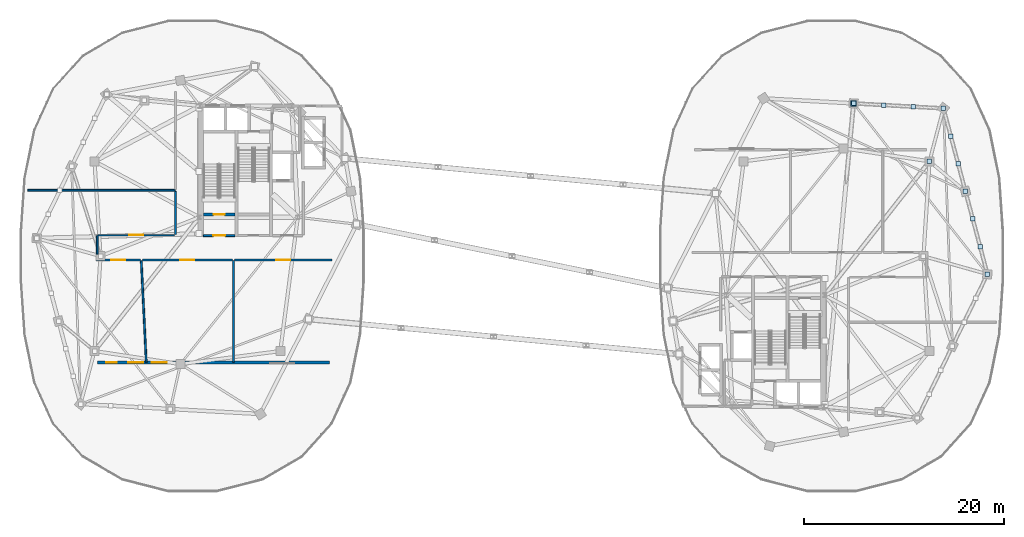
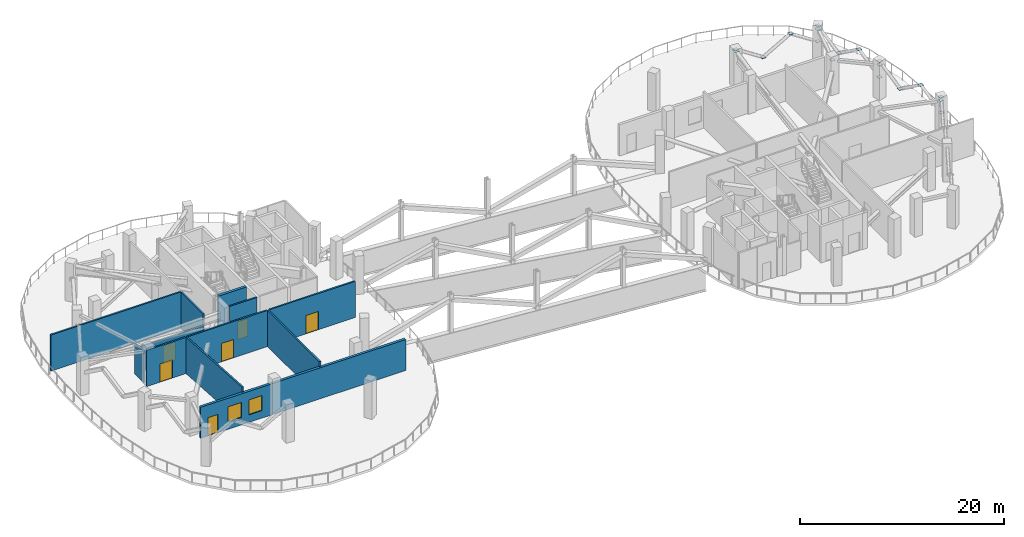
# One storey, part 7 of 16: 18 plates, 12 walls, 7 doors, 2 windows, 9 openings.
"""IFC4 building model written with IfcOpenShell, lengths in metres."""

from ifc_helpers import new_model, si_unit, direction, frame, frame_2d, origin, origin_2d, place, context, subcontext, project, spatial, rectangle, extrude, material, layer, layer_set, type_object, element, fill, save


model = new_model("IFC4")

# Units and contexts
model_context = context("Model", 3, precision=1e-05, world=origin(), true_north=direction((0.0, 1.0)))
body_context = subcontext(model_context, "Body", "Model", "MODEL_VIEW")
ifc_project = project(units=[si_unit("LENGTHUNIT", "METRE"), si_unit("AREAUNIT", "SQUARE_METRE"), si_unit("VOLUMEUNIT", "CUBIC_METRE"), si_unit("PLANEANGLEUNIT", "RADIAN"), si_unit("MASSUNIT", "GRAM", prefix="KILO"), si_unit("THERMODYNAMICTEMPERATUREUNIT", "KELVIN"), si_unit("POWERUNIT", "WATT")], contexts=[model_context])

# Site, building, storey
site_placement = place(None, origin())
site = spatial("IfcSite", under=ifc_project, at=site_placement, CompositionType="ELEMENT")
building_placement = place(site_placement, origin())
building = spatial("IfcBuilding", under=site, at=building_placement, Name="Cundina Bronze Exchange", CompositionType="ELEMENT")
storey_placement = place(building_placement, frame((0.0, 0.0, 235.0)))
storey = spatial("IfcBuildingStorey", under=building, at=storey_placement, Name="L62", CompositionType="ELEMENT", Elevation=235.0)

# Plates
ifc_material_1 = material(Name="Steel ASTM A572 Grade 50", Category="steel")
ifc_layer_1 = layer(ifc_material_1, 0.02001953125, Name="Steel ASTM A572 Grade 50", Category="steel")
ifc_layer_set_1 = layer_set([ifc_layer_1], Name="Steel ASTM A572 Grade 50")
plate_type_1 = type_object("IfcPlateType", Name="PLT-CAP-STL20", PredefinedType="USERDEFINED", material=ifc_layer_set_1)
for number, where, z_axis, x_axis, name in (
    (1, (47.60009765625, -1.800048828125, 2.39990234375), (0.0, 0.0, 1.0), (1.0, 0.0, 0.0), "L62 E Perimeter Belt M-Truss Diagonal 1A End Cap Plate 1"),
    (2, (46.86669921875, 0.966796875, 4.2900390625), (0.0, 0.0, 1.0), (1.0, 0.0, 0.0), "L62 E Perimeter Belt M-Truss Diagonal 1A End Cap Plate 2"),
    (3, (46.13330078125, 3.7333984375, 2.39990234375), (0.0, 0.0, 1.0), (1.0, 0.0, 0.0), "L62 E Perimeter Belt M-Truss Diagonal 1B End Cap Plate 2"),
    (4, (45.39990234375, 6.5, 4.2900390625), (0.0, 0.0, 1.0), (1.0, 0.0, 0.0), "L62 E Perimeter Belt M-Truss Diagonal 1C End Cap Plate 2"),
    (5, (47.60009765625, -1.800048828125, 3.8798828125), (0.0, 0.0, 1.0), (1.0, 0.0, 0.0), "L62 E Outrigger Collector Strut 1 End Cap Plate 2"),
    (6, (47.60009765625, -1.800048828125, 4.2900390625), (0.0, 0.0, 1.0), (1.0, 0.0, 0.0), "L62 E Perimeter Belt M-Truss Diagonal 2C End Cap Plate 2"),
    (7, (45.39990234375, 6.5, 2.39990234375), (0.0, 0.0, 1.0), (1.0, 0.0, 0.0), "L62 E Perimeter Belt M-Truss Diagonal 3A End Cap Plate 1"),
    (8, (44.666748046875, 9.2666015625, 4.2900390625), (0.0, 0.0, 1.0), (1.0, 0.0, 0.0), "L62 E Perimeter Belt M-Truss Diagonal 3A End Cap Plate 2"),
    (9, (43.933349609375, 12.033203125, 2.39990234375), (0.0, 0.0, 1.0), (1.0, 0.0, 0.0), "L62 E Perimeter Belt M-Truss Diagonal 3B End Cap Plate 2"),
    (10, (43.199951171875, 14.800048828125, 4.2900390625), (0.0, 0.0, 1.0), (1.0, 0.0, 0.0), "L62 E Perimeter Belt M-Truss Diagonal 3C End Cap Plate 2"),
    (11, (41.800048828125, 9.5, 3.8798828125), (0.0, 0.0, 1.0), (1.0, 0.0, 0.0), "L62 E Outrigger Collector Strut 3 End Cap Plate 1"),
    (12, (45.39990234375, 6.5, 3.8798828125), (0.0, 0.0, 1.0), (1.0, 0.0, 0.0), "L62 E Outrigger Collector Strut 3 End Cap Plate 2"),
    (13, (43.199951171875, 14.800048828125, 2.39990234375), (0.0, 0.0, 1.0), (1.0, 0.0, 0.0), "L62 E Perimeter Belt M-Truss Diagonal 5A End Cap Plate 1"),
    (14, (40.199951171875, 14.966796875, 4.2900390625), (0.0, 0.0, 1.0), (1.0, 0.0, 0.0), "L62 E Perimeter Belt M-Truss Diagonal 5A End Cap Plate 2"),
    (15, (37.199951171875, 15.13330078125, 2.39990234375), (0.0, 0.0, 1.0), (1.0, 0.0, 0.0), "L62 E Perimeter Belt M-Truss Diagonal 5B End Cap Plate 2"),
    (16, (34.199951171875, 15.300048828125, 4.2900390625), (0.0, 0.0, 1.0), (1.0, 0.0, 0.0), "L62 E Perimeter Belt M-Truss Diagonal 5C End Cap Plate 2"),
    (17, (43.199951171875, 14.800048828125, 3.8798828125), (0.0, 0.0, 1.0), (1.0, 0.0, 0.0), "L62 E Outrigger Collector Strut 5 End Cap Plate 2"),
):
    element("IfcPlate", number, at=place(storey_placement, frame(where, z_axis=z_axis, x_axis=x_axis)), inside=storey, type_object=plate_type_1, Name=name, ObjectType="STIFFENER_PLATE", PredefinedType="USERDEFINED", context=body_context, shape_type="SweptSolid", body=[
        extrude(rectangle(XDim=0.449951171875, YDim=0.449951171875, at=origin_2d()), origin(), (0.0, 0.0, 1.0), 0.02001953125),
    ])
ifc_layer_2 = layer(ifc_material_1, 0.02490234375, Name="Steel ASTM A572 Grade 50", Category="steel")
ifc_layer_set_2 = layer_set([ifc_layer_2], Name="Steel ASTM A572 Grade 50")
plate_type_2 = type_object("IfcPlateType", Name="PLT-CAP-STL25", PredefinedType="USERDEFINED", material=ifc_layer_set_2)
plate_placement = place(storey_placement, frame((34.199951171875, 15.300048828125, 4.12744140625), z_axis=(0.0, 0.0, 1.0), x_axis=(1.0, 0.0, 0.0)))
element("IfcPlate", 18, at=plate_placement, inside=storey, type_object=plate_type_2, Name="L62 E Outrigger Truss Diagonal 1 End Cap Plate 2", ObjectType="STIFFENER_PLATE", PredefinedType="USERDEFINED", context=body_context, shape_type="SweptSolid", body=[
    extrude(rectangle(XDim=0.60009765625, YDim=0.60009765625, at=origin_2d()), origin(), (0.0, 0.0, 1.0), 0.02490234375),
])

# Wall, opening, door
ifc_material_2 = material(Name="Gypsum Fireboard Partition EI120")
ifc_layer_3 = layer(ifc_material_2, 0.179931640625, Name="Gypsum Fireboard Partition EI120")
ifc_layer_set_3 = layer_set([ifc_layer_3], Name="Gypsum Fireboard Partition EI120")
wall_type_1 = type_object("IfcWallType", Name="WL-COR-180", PredefinedType="PARTITIONING", material=ifc_layer_set_3)
wall_1_placement = place(storey_placement, frame((-30.89990234375, 2.06005859375, 0.0), z_axis=(0.0, 0.0, 1.0), x_axis=(1.0, 0.0, 0.0)))
wall_1 = element("IfcWall", 19, at=wall_1_placement, inside=storey, type_object=wall_type_1, Name="L62 W Stair Vestibule Exit Wall", PredefinedType="PARTITIONING", context=body_context, shape_type="SweptSolid", body=[
    extrude(rectangle(XDim=3.159912109375, YDim=0.179931640625, at=frame_2d((1.580078125, 0.0))), origin(), (0.0, 0.0, 1.0), 4.340087890625),
])
opening_1_placement = place(wall_1_placement, frame((0.97998046875, 0.0, 0.0)))
opening_1 = element("IfcOpeningElement", 20, at=opening_1_placement, cuts=wall_1, Name="Opening DF-01", PredefinedType="OPENING", context=body_context, shape_type="SweptSolid", body=[
    extrude(rectangle(XDim=1.199951171875, YDim=2.14990234375, at=frame_2d((0.60009765625, 1.074951171875))), frame((0.0, 0.099853515625, 0.0), z_axis=(0.0, -1.0, 0.0), x_axis=(1.0, 0.0, 0.0)), (0.0, 0.0, 1.0), 0.199951171875),
])
ifc_material_3 = material(Name="Steel ASTM A36 Painted", Category="steel")
door_type_1 = type_object("IfcDoorType", Name="DR-FFL-1200", OperationType="NOTDEFINED", PredefinedType="DOOR", material=ifc_material_3)
door_1_placement = place(opening_1_placement, origin())
door_1 = element("IfcDoor", 21, at=door_1_placement, inside=storey, type_object=door_type_1, Name="L62 W Stair Vestibule Door", OperationType="SINGLE_SWING_LEFT", OverallHeight=2.14990234375, OverallWidth=1.199951171875, PredefinedType="DOOR", context=body_context, shape_type="SweptSolid", body=[
    extrude(rectangle(XDim=1.199951171875, YDim=2.14990234375, at=frame_2d((0.60009765625, 1.074951171875))), frame((0.0, 0.02490234375, 0.0), z_axis=(0.0, -1.0, 0.0), x_axis=(1.0, 0.0, 0.0)), (0.0, 0.0, 1.0), 0.050048828125),
])
fill(opening_1, door_1)

# Walls
wall_2_placement = place(storey_placement, frame((-36.6201171875, -10.60009765625, 0.0), z_axis=(0.0, 0.0, 1.0), x_axis=(-0.049152358869, 0.998791292322, 0.0)))
element("IfcWall", 22, at=wall_2_placement, inside=storey, type_object=wall_type_1, Name="L62 Interior Partition 009", PredefinedType="PARTITIONING", context=body_context, shape_type="SweptSolid", body=[
    extrude(rectangle(XDim=10.17236328125, YDim=0.179931640625, at=frame_2d((5.086181640625, 0.0))), origin(), (0.0, 0.0, 1.0), 4.340087890625),
])
wall_3_placement = place(storey_placement, frame((-48.47998046875, 6.60009765625, 0.0), z_axis=(0.0, 0.0, 1.0), x_axis=(1.0, 0.0, 0.0)))
element("IfcWall", 23, at=wall_3_placement, inside=storey, type_object=wall_type_1, Name="L62 Interior Partition 010", PredefinedType="PARTITIONING", context=body_context, shape_type="SweptSolid", body=[
    extrude(rectangle(XDim=14.739990234375, YDim=0.179931640625, at=frame_2d((7.3701171875, 0.0))), origin(), (0.0, 0.0, 1.0), 4.340087890625),
])

# Wall, opening, door
wall_4_placement = place(storey_placement, frame((-27.780029296875, -0.3701171875, 0.0), z_axis=(0.0, 0.0, 1.0), x_axis=(1.0, 0.0, 0.0)))
wall_4 = element("IfcWall", 24, at=wall_4_placement, inside=storey, type_object=wall_type_1, Name="L62 Interior Partition 011", PredefinedType="PARTITIONING", context=body_context, shape_type="SweptSolid", body=[
    extrude(rectangle(XDim=9.760009765625, YDim=0.179931640625, at=frame_2d((4.8798828125, 0.0))), origin(), (0.0, 0.0, 1.0), 4.340087890625),
])
opening_2_placement = place(wall_4_placement, frame((4.179931640625, 0.0, 0.0)))
opening_2 = element("IfcOpeningElement", 25, at=opening_2_placement, cuts=wall_4, Name="Opening DP-01", PredefinedType="OPENING", context=body_context, shape_type="SweptSolid", body=[
    extrude(rectangle(XDim=1.39990234375, YDim=2.199951171875, at=frame_2d((0.699951171875, 1.10009765625))), frame((0.0, 0.099853515625, 0.0), z_axis=(0.0, -1.0, 0.0), x_axis=(1.0, 0.0, 0.0)), (0.0, 0.0, 1.0), 0.199951171875),
])
door_type_2 = type_object("IfcDoorType", Name="DR-PLT-1400", OperationType="NOTDEFINED", PredefinedType="DOOR", material=ifc_material_3)
door_2_placement = place(opening_2_placement, origin())
door_2 = element("IfcDoor", 26, at=door_2_placement, inside=storey, type_object=door_type_2, Name="L62 Interior Door 011", OperationType="SINGLE_SWING_LEFT", OverallHeight=2.199951171875, OverallWidth=1.39990234375, PredefinedType="DOOR", context=body_context, shape_type="SweptSolid", body=[
    extrude(rectangle(XDim=1.39990234375, YDim=2.199951171875, at=frame_2d((0.699951171875, 1.10009765625))), frame((0.0, 0.02490234375, 0.0), z_axis=(0.0, -1.0, 0.0), x_axis=(1.0, 0.0, 0.0)), (0.0, 0.0, 1.0), 0.050048828125),
])
fill(opening_2, door_2)

wall_5_placement = place(storey_placement, frame((-41.65869140625, -0.3701171875, 0.0), z_axis=(0.0, 0.0, 1.0), x_axis=(1.0, 0.0, 0.0)))
wall_5 = element("IfcWall", 27, at=wall_5_placement, inside=storey, type_object=wall_type_1, Name="L62 Interior Partition 012", PredefinedType="PARTITIONING", context=body_context, shape_type="SweptSolid", body=[
    extrude(rectangle(XDim=4.438720703125, YDim=0.179931640625, at=frame_2d((2.21923828125, 0.0))), origin(), (0.0, 0.0, 1.0), 4.340087890625),
])
opening_3_placement = place(wall_5_placement, frame((1.519287109375, 0.0, 0.0)))
opening_3 = element("IfcOpeningElement", 28, at=opening_3_placement, cuts=wall_5, Name="Opening DP-01", PredefinedType="OPENING", context=body_context, shape_type="SweptSolid", body=[
    extrude(rectangle(XDim=1.39990234375, YDim=2.199951171875, at=frame_2d((0.699951171875, 1.10009765625))), frame((0.0, 0.099853515625, 0.0), z_axis=(0.0, -1.0, 0.0), x_axis=(1.0, 0.0, 0.0)), (0.0, 0.0, 1.0), 0.199951171875),
])
door_3_placement = place(opening_3_placement, origin())
door_3 = element("IfcDoor", 29, at=door_3_placement, inside=storey, type_object=door_type_2, Name="L62 Interior Door 012", OperationType="SINGLE_SWING_LEFT", OverallHeight=2.199951171875, OverallWidth=1.39990234375, PredefinedType="DOOR", context=body_context, shape_type="SweptSolid", body=[
    extrude(rectangle(XDim=1.39990234375, YDim=2.199951171875, at=frame_2d((0.699951171875, 1.10009765625))), frame((0.0, 0.02490234375, 0.0), z_axis=(0.0, -1.0, 0.0), x_axis=(1.0, 0.0, 0.0)), (0.0, 0.0, 1.0), 0.050048828125),
])
fill(opening_3, door_3)

wall_6_placement = place(storey_placement, frame((-37.02001953125, -0.3701171875, 0.0), z_axis=(0.0, 0.0, 1.0), x_axis=(1.0, 0.0, 0.0)))
wall_6 = element("IfcWall", 30, at=wall_6_placement, inside=storey, type_object=wall_type_1, Name="L62 Interior Partition 013", PredefinedType="PARTITIONING", context=body_context, shape_type="SweptSolid", body=[
    extrude(rectangle(XDim=9.0400390625, YDim=0.179931640625, at=frame_2d((4.52001953125, 0.0))), origin(), (0.0, 0.0, 1.0), 4.340087890625),
])
opening_4_placement = place(wall_6_placement, frame((3.820068359375, 0.0, 0.0)))
opening_4 = element("IfcOpeningElement", 31, at=opening_4_placement, cuts=wall_6, Name="Opening DP-01", PredefinedType="OPENING", context=body_context, shape_type="SweptSolid", body=[
    extrude(rectangle(XDim=1.39990234375, YDim=2.199951171875, at=frame_2d((0.699951171875, 1.10009765625))), frame((0.0, 0.099853515625, 0.0), z_axis=(0.0, -1.0, 0.0), x_axis=(1.0, 0.0, 0.0)), (0.0, 0.0, 1.0), 0.199951171875),
])
door_4_placement = place(opening_4_placement, origin())
door_4 = element("IfcDoor", 32, at=door_4_placement, inside=storey, type_object=door_type_2, Name="L62 Interior Door 013", OperationType="SINGLE_SWING_LEFT", OverallHeight=2.199951171875, OverallWidth=1.39990234375, PredefinedType="DOOR", context=body_context, shape_type="SweptSolid", body=[
    extrude(rectangle(XDim=1.39990234375, YDim=2.199951171875, at=frame_2d((0.699951171875, 1.10009765625))), frame((0.0, 0.02490234375, 0.0), z_axis=(0.0, -1.0, 0.0), x_axis=(1.0, 0.0, 0.0)), (0.0, 0.0, 1.0), 0.050048828125),
])
fill(opening_4, door_4)

wall_7_placement = place(storey_placement, frame((-33.77001953125, 2.10009765625, 0.0), z_axis=(0.0, 0.0, 1.0), x_axis=(-1.0, 0.0, 0.0)))
wall_7 = element("IfcWall", 33, at=wall_7_placement, inside=storey, type_object=wall_type_1, Name="L62 Interior Partition 014", PredefinedType="PARTITIONING", context=body_context, shape_type="SweptSolid", body=[
    extrude(rectangle(XDim=7.70849609375, YDim=0.179931640625, at=frame_2d((3.854248046875, 0.0))), origin(), (0.0, 0.0, 1.0), 3.034912109375),
])
opening_5_placement = place(wall_7_placement, frame((3.154296875, 0.0, 0.0)))
opening_5 = element("IfcOpeningElement", 34, at=opening_5_placement, cuts=wall_7, Name="Opening DP-01", PredefinedType="OPENING", context=body_context, shape_type="SweptSolid", body=[
    extrude(rectangle(XDim=1.39990234375, YDim=2.199951171875, at=frame_2d((0.699951171875, 1.10009765625))), frame((0.0, 0.099853515625, 0.0), z_axis=(0.0, -1.0, 0.0), x_axis=(1.0, 0.0, 0.0)), (0.0, 0.0, 1.0), 0.199951171875),
])
door_5_placement = place(opening_5_placement, origin())
door_5 = element("IfcDoor", 35, at=door_5_placement, inside=storey, type_object=door_type_2, Name="L62 Interior Door 014", OperationType="SINGLE_SWING_LEFT", OverallHeight=2.199951171875, OverallWidth=1.39990234375, PredefinedType="DOOR", context=body_context, shape_type="SweptSolid", body=[
    extrude(rectangle(XDim=1.39990234375, YDim=2.199951171875, at=frame_2d((0.699951171875, 1.10009765625))), frame((0.0, 0.02490234375, 0.0), z_axis=(0.0, -1.0, 0.0), x_axis=(1.0, 0.0, 0.0)), (0.0, 0.0, 1.0), 0.050048828125),
])
fill(opening_5, door_5)

# Walls
wall_8_placement = place(storey_placement, frame((-33.68994140625, 6.5, 0.0), z_axis=(0.0, 0.0, 1.0), x_axis=(0.0, -1.0, 0.0)))
element("IfcWall", 36, at=wall_8_placement, inside=storey, type_object=wall_type_1, Name="L62 Interior Partition 015", PredefinedType="PARTITIONING", context=body_context, shape_type="SweptSolid", body=[
    extrude(rectangle(XDim=4.320068359375, YDim=0.179931640625, at=frame_2d((2.16015625, 0.0))), origin(), (0.0, 0.0, 1.0), 4.340087890625),
])
wall_9_placement = place(storey_placement, frame((-41.52001953125, 2.05859375, 0.0), z_axis=(0.0, 0.0, 1.0), x_axis=(0.0, -1.0, 0.0)))
element("IfcWall", 37, at=wall_9_placement, inside=storey, type_object=wall_type_1, Name="L62 Interior Partition 016", PredefinedType="PARTITIONING", context=body_context, shape_type="SweptSolid", body=[
    extrude(rectangle(XDim=1.838623046875, YDim=0.179931640625, at=frame_2d((0.91943359375, 0.0))), origin(), (0.0, 0.0, 1.0), 3.72412109375),
])
wall_10_placement = place(storey_placement, frame((-27.8798828125, -10.60009765625, 0.0), z_axis=(0.0, 0.0, 1.0), x_axis=(0.0, 1.0, 0.0)))
element("IfcWall", 38, at=wall_10_placement, inside=storey, type_object=wall_type_1, Name="L62 Interior Partition 018", PredefinedType="PARTITIONING", context=body_context, shape_type="SweptSolid", body=[
    extrude(rectangle(XDim=10.16015625, YDim=0.179931640625, at=frame_2d((5.080078125, 0.0))), origin(), (0.0, 0.0, 1.0), 4.340087890625),
])

# Wall, openings, door, windows
ifc_material_4 = material(Name="Precast Concrete C45/55", Category="concrete")
ifc_layer_4 = layer(ifc_material_4, 0.280029296875, Name="Precast Concrete C45/55", Category="concrete")
ifc_layer_set_4 = layer_set([ifc_layer_4], Name="Precast Concrete C45/55")
wall_type_2 = type_object("IfcWallType", Name="WL-EXT-280", PredefinedType="SOLIDWALL", material=ifc_layer_set_4)
wall_11_placement = place(storey_placement, frame((-41.5, -10.64990234375, 0.0), z_axis=(0.0, 0.0, 1.0), x_axis=(1.0, 0.0, 0.0)))
wall_11 = element("IfcWall", 39, at=wall_11_placement, inside=storey, type_object=wall_type_2, Name="L62 Leg W Refuge Veranda Weather Wall", PredefinedType="SOLIDWALL", context=body_context, shape_type="SweptSolid", body=[
    extrude(rectangle(XDim=23.25, YDim=0.280029296875, at=frame_2d((11.625, 0.0))), origin(), (0.0, 0.0, 1.0), 3.72412109375),
])
opening_6_placement = place(wall_11_placement, frame((0.85009765625, 0.0, 0.0)))
opening_6 = element("IfcOpeningElement", 40, at=opening_6_placement, cuts=wall_11, Name="Opening DT-01", PredefinedType="OPENING", context=body_context, shape_type="SweptSolid", body=[
    extrude(rectangle(XDim=1.10009765625, YDim=2.199951171875, at=frame_2d((0.550048828125, 1.10009765625))), frame((0.0, 0.14990234375, 0.0), z_axis=(0.0, -1.0, 0.0), x_axis=(1.0, 0.0, 0.0)), (0.0, 0.0, 1.0), 0.300048828125),
])
opening_7_placement = place(wall_11_placement, frame((3.10009765625, 0.0, 0.89990234375)))
opening_7 = element("IfcOpeningElement", 41, at=opening_7_placement, cuts=wall_11, Name="Opening W-03", PredefinedType="OPENING", context=body_context, shape_type="SweptSolid", body=[
    extrude(rectangle(XDim=1.5, YDim=1.800048828125, at=frame_2d((0.75, 0.89990234375))), frame((0.0, 0.14990234375, 0.0), z_axis=(0.0, -1.0, 0.0), x_axis=(1.0, 0.0, 0.0)), (0.0, 0.0, 1.0), 0.300048828125),
])
opening_8_placement = place(wall_11_placement, frame((5.449951171875, 0.0, 0.89990234375)))
opening_8 = element("IfcOpeningElement", 42, at=opening_8_placement, cuts=wall_11, Name="Opening W-03", PredefinedType="OPENING", context=body_context, shape_type="SweptSolid", body=[
    extrude(rectangle(XDim=1.5, YDim=1.800048828125, at=frame_2d((0.75, 0.89990234375))), frame((0.0, 0.14990234375, 0.0), z_axis=(0.0, -1.0, 0.0), x_axis=(1.0, 0.0, 0.0)), (0.0, 0.0, 1.0), 0.300048828125),
])
ifc_material_5 = material(Name="Anodised Bronze Aluminium 6063-T6", Category="aluminium")
door_type_3 = type_object("IfcDoorType", Name="DR-TER-1100", OperationType="NOTDEFINED", PredefinedType="DOOR", material=ifc_material_5)
door_6_placement = place(opening_6_placement, origin())
door_6 = element("IfcDoor", 43, at=door_6_placement, inside=storey, type_object=door_type_3, Name="L62 Leg W Open Refuge Veranda Door", OperationType="SINGLE_SWING_LEFT", OverallHeight=2.199951171875, OverallWidth=1.10009765625, PredefinedType="DOOR", context=body_context, shape_type="SweptSolid", body=[
    extrude(rectangle(XDim=1.10009765625, YDim=2.199951171875, at=frame_2d((0.550048828125, 1.10009765625))), frame((0.0, 0.02490234375, 0.0), z_axis=(0.0, -1.0, 0.0), x_axis=(1.0, 0.0, 0.0)), (0.0, 0.0, 1.0), 0.050048828125),
])
fill(opening_6, door_6)
ifc_material_6 = material(Name="Heat-Strengthened Solar-Control Bronze Safety Glass 28mm", Category="glass")
window_type = type_object("IfcWindowType", Name="WN-REF-1500", PartitioningType="SINGLE_PANEL", PredefinedType="WINDOW", material=ifc_material_6)
window_1_placement = place(opening_7_placement, origin())
window_1 = element("IfcWindow", 44, at=window_1_placement, inside=storey, type_object=window_type, Name="L62 Leg W Refuge Plant Window 1", OverallHeight=1.800048828125, OverallWidth=1.5, PartitioningType="SINGLE_PANEL", PredefinedType="WINDOW", context=body_context, shape_type="SweptSolid", body=[
    extrude(rectangle(XDim=1.5, YDim=1.800048828125, at=frame_2d((0.75, 0.89990234375))), frame((0.0, 0.030029296875, 0.0), z_axis=(0.0, -1.0, 0.0), x_axis=(1.0, 0.0, 0.0)), (0.0, 0.0, 1.0), 0.06005859375),
])
fill(opening_7, window_1)
window_2_placement = place(opening_8_placement, origin())
window_2 = element("IfcWindow", 45, at=window_2_placement, inside=storey, type_object=window_type, Name="L62 Leg W Refuge Plant Window 2", OverallHeight=1.800048828125, OverallWidth=1.5, PartitioningType="SINGLE_PANEL", PredefinedType="WINDOW", context=body_context, shape_type="SweptSolid", body=[
    extrude(rectangle(XDim=1.5, YDim=1.800048828125, at=frame_2d((0.75, 0.89990234375))), frame((0.0, 0.030029296875, 0.0), z_axis=(0.0, -1.0, 0.0), x_axis=(1.0, 0.0, 0.0)), (0.0, 0.0, 1.0), 0.06005859375),
])
fill(opening_8, window_2)

# Wall, opening, door
ifc_material_7 = material(Name="Concrete C50/60", Category="concrete")
ifc_layer_5 = layer(ifc_material_7, 0.300048828125, Name="Concrete C50/60", Category="concrete")
ifc_layer_set_5 = layer_set([ifc_layer_5], Name="Concrete C50/60")
wall_type_3 = type_object("IfcWallType", Name="WL-SHFT-300", PredefinedType="SHEAR", material=ifc_layer_set_5)
wall_12_placement = place(storey_placement, frame((-30.89990234375, 4.199951171875, 0.0), z_axis=(0.0, 0.0, 1.0), x_axis=(1.0, 0.0, 0.0)))
wall_12 = element("IfcWall", 46, at=wall_12_placement, inside=storey, type_object=wall_type_3, Name="L62 Stair W1 Landing Wall", PredefinedType="SHEAR", context=body_context, shape_type="SweptSolid", body=[
    extrude(rectangle(XDim=3.159912109375, YDim=0.300048828125, at=frame_2d((1.580078125, 0.0))), origin(), (0.0, 0.0, 1.0), 4.340087890625),
])
opening_9_placement = place(wall_12_placement, frame((1.030029296875, 0.0, 0.0)))
opening_9 = element("IfcOpeningElement", 47, at=opening_9_placement, cuts=wall_12, Name="Opening DS-01", PredefinedType="OPENING", context=body_context, shape_type="SweptSolid", body=[
    extrude(rectangle(XDim=1.10009765625, YDim=2.14990234375, at=frame_2d((0.550048828125, 1.074951171875))), frame((0.0, 0.159912109375, 0.0), z_axis=(0.0, -1.0, 0.0), x_axis=(1.0, 0.0, 0.0)), (0.0, 0.0, 1.0), 0.320068359375),
])
door_type_4 = type_object("IfcDoorType", Name="DR-STR-1100", OperationType="NOTDEFINED", PredefinedType="DOOR", material=ifc_material_3)
door_7_placement = place(opening_9_placement, origin())
door_7 = element("IfcDoor", 48, at=door_7_placement, inside=storey, type_object=door_type_4, Name="L62 Smokeproof Stair W1 Door", OperationType="SINGLE_SWING_RIGHT", OverallHeight=2.14990234375, OverallWidth=1.10009765625, PredefinedType="DOOR", context=body_context, shape_type="SweptSolid", body=[
    extrude(rectangle(XDim=1.10009765625, YDim=2.14990234375, at=frame_2d((0.550048828125, 1.074951171875))), frame((0.0, 0.02490234375, 0.0), z_axis=(0.0, -1.0, 0.0), x_axis=(1.0, 0.0, 0.0)), (0.0, 0.0, 1.0), 0.050048828125),
])
fill(opening_9, door_7)

save(model, "model.ifc")
